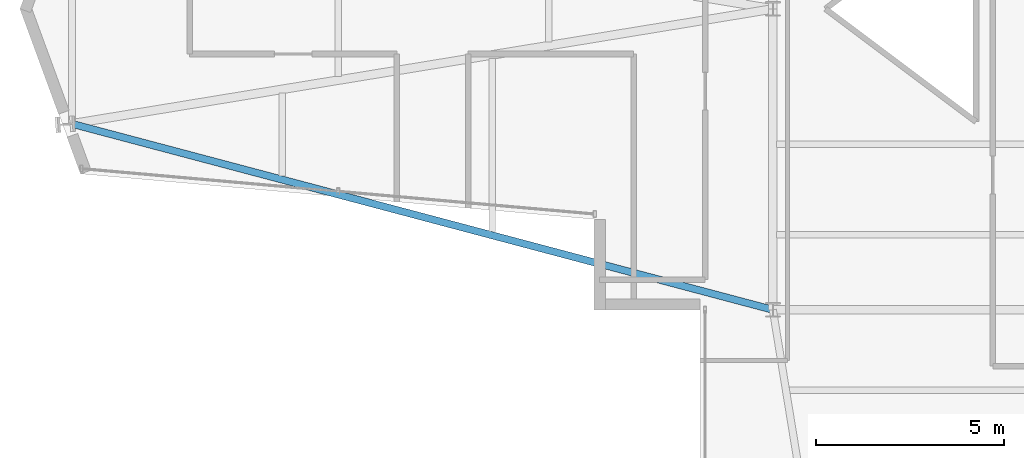
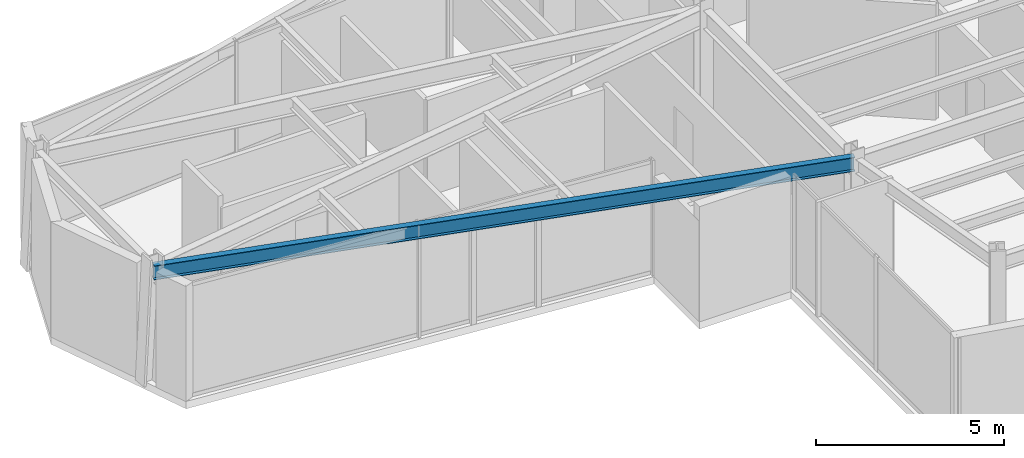
# One storey, part 3 of 23: 1 beam.
"""IFC4 building model written with IfcOpenShell, lengths in metres."""

from ifc_helpers import new_model, si_unit, direction, frame, origin, origin_2d, place, context, subcontext, project, spatial, i_section, extrude, material, material_profile, profile_set, type_object, element, save


model = new_model("IFC4")

# Units and contexts
model_context = context("Model", 3, precision=1e-05, world=origin(), true_north=direction((0.0, 1.0)))
body_context = subcontext(model_context, "Body", "Model", "MODEL_VIEW")
ifc_project = project(units=[si_unit("LENGTHUNIT", "METRE"), si_unit("AREAUNIT", "SQUARE_METRE"), si_unit("VOLUMEUNIT", "CUBIC_METRE"), si_unit("PLANEANGLEUNIT", "RADIAN"), si_unit("MASSUNIT", "GRAM", prefix="KILO")], contexts=[model_context])

# Site, building, storey
site_placement = place(None, origin())
site = spatial("IfcSite", under=ifc_project, at=site_placement, CompositionType="ELEMENT")
building_placement = place(site_placement, origin())
building = spatial("IfcBuilding", under=site, at=building_placement, Name="Veymaron Broadcast Tower", CompositionType="ELEMENT")
storey_placement = place(building_placement, frame((0.0, 0.0, 177.60009765625)))
storey = spatial("IfcBuildingStorey", under=building, at=storey_placement, Name="L41", CompositionType="ELEMENT", Elevation=177.60009765625)

# Beam
ifc_material = material(Name="Structural steel ASTM A992 Gr 50", Category="steel")
ifc_material_profile = material_profile(ifc_material, i_section(OverallWidth=0.19091796875, OverallDepth=0.4599609375, WebThickness=0.010009765625, FlangeThickness=0.01611328125, at=origin_2d()), Name="W460X82")
ifc_profile_set = profile_set([ifc_material_profile], Name="Structural steel ASTM A992 Gr 50")
beam_type = type_object("IfcBeamType", Name="BM-SP1", PredefinedType="SPANDREL", material=ifc_profile_set)
beam_placement = place(storey_placement, frame((12.56103515625, 20.945068359375, 3.5), z_axis=(0.966560917448, -0.256437112881, 0.0), x_axis=(0.256437112881, 0.966560917448, 0.0)))
element("IfcBeam", 1, at=beam_placement, inside=storey, type_object=beam_type, Name="L41 primary structural floor girder", PredefinedType="SPANDREL", context=body_context, shape_type="SweptSolid", body=[
    extrude(i_section(OverallWidth=0.19091796875, OverallDepth=0.4599609375, WebThickness=0.010009765625, FlangeThickness=0.01611328125, at=origin_2d()), origin(), (0.0, 0.0, 1.0), 19.28369140625),
])

save(model, "model.ifc")
